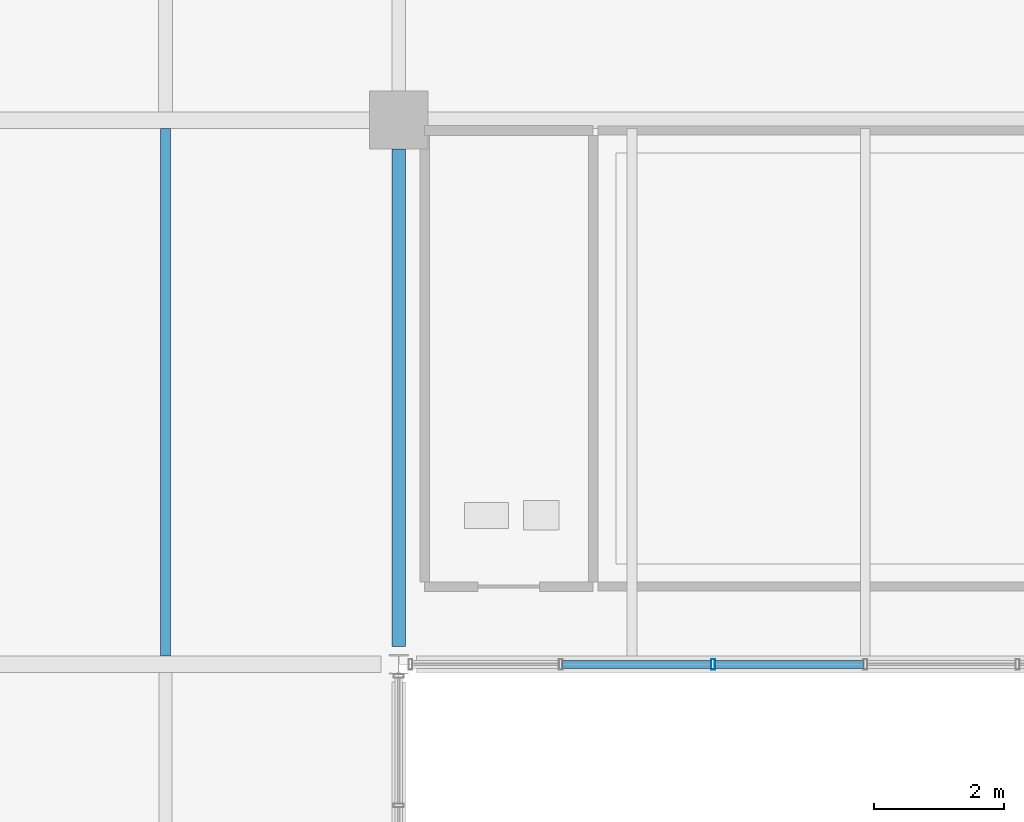
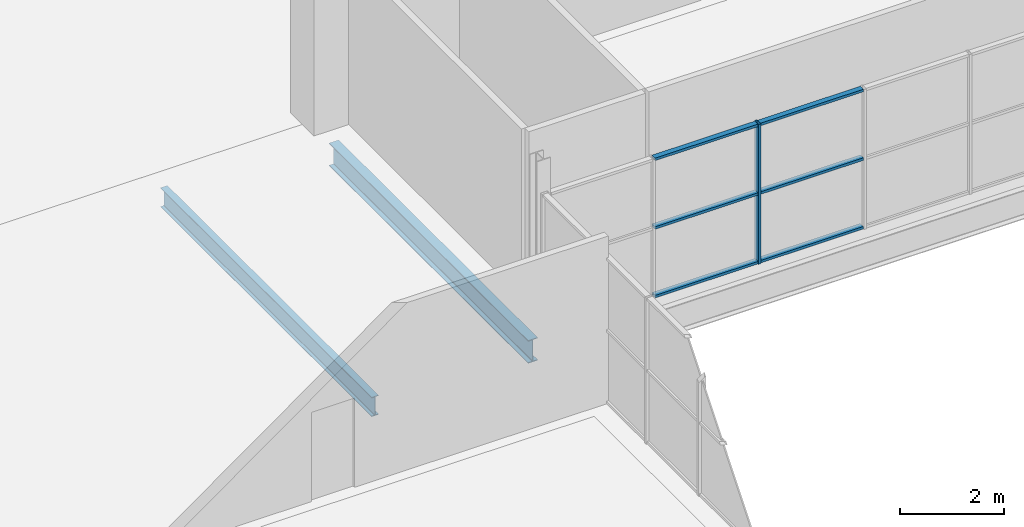
# One storey, part 32 of 161: 7 members, 2 beams, 1 element without a shape of its own.
"""IFC4 building model written with IfcOpenShell, lengths in metres."""

from ifc_helpers import new_model, si_unit, direction, frame, origin, origin_2d, place, context, subcontext, project, spatial, hollow_rectangle, i_section, extrude, material, material_profile, profile_set, type_object, element, aggregate, save


model = new_model("IFC4")

# Units and contexts
model_context = context("Model", 3, precision=1e-05, world=origin(), true_north=direction((0.0, 1.0)))
body_context = subcontext(model_context, "Body", "Model", "MODEL_VIEW")
ifc_project = project(units=[si_unit("LENGTHUNIT", "METRE"), si_unit("AREAUNIT", "SQUARE_METRE"), si_unit("VOLUMEUNIT", "CUBIC_METRE"), si_unit("PLANEANGLEUNIT", "RADIAN"), si_unit("MASSUNIT", "GRAM", prefix="KILO"), si_unit("THERMODYNAMICTEMPERATUREUNIT", "KELVIN")], contexts=[model_context])

# Site, building, storey
site_placement = place(None, origin())
site = spatial("IfcSite", under=ifc_project, at=site_placement, CompositionType="ELEMENT")
building_placement = place(site_placement, origin())
building = spatial("IfcBuilding", under=site, at=building_placement, Name="Nduvali Passage Aquatics Centre", CompositionType="ELEMENT")
storey_placement = place(building_placement, frame((0.0, 0.0, 4.800048828125)))
storey = spatial("IfcBuildingStorey", under=building, at=storey_placement, Name="L01", CompositionType="ELEMENT", Elevation=4.800048828125)

# Curtain wall, members
ifc_material_1 = material(Name="Aluminium EN AW-6063 T6", Category="aluminium")
curtain_wall_type = type_object("IfcCurtainWallType", Name="ENV-CW-COUR", PredefinedType="NOTDEFINED", material=ifc_material_1)
curtain_wall_placement = place(storey_placement, origin())
curtain_wall = element("IfcCurtainWall", 1, at=curtain_wall_placement, inside=storey, type_object=curtain_wall_type, Name="L01 Monsoon Courtyard Upper Cloister CW 164", PredefinedType="NOTDEFINED")
ifc_material_profile_1 = material_profile(ifc_material_1, hollow_rectangle(XDim=0.06005859375, YDim=0.159912109375, WallThickness=0.00390625, at=origin_2d()), Name="ALU MULLION 60x160x4")
ifc_profile_set_1 = profile_set([ifc_material_profile_1], Name="Aluminium EN AW-6063 T6")
member_type_1 = type_object("IfcMemberType", Name="ENV-MEM-MUL60", PredefinedType="MULLION", material=ifc_profile_set_1)
member_1_placement = place(storey_placement, frame((73.25, 16.800048828125, 0.0), z_axis=(0.0, 0.0, 1.0), x_axis=(1.0, 0.0, 0.0)))
member_1 = element("IfcMember", 2, at=member_1_placement, type_object=member_type_1, Name="Monsoon Courtyard Upper Cloister CW Mullion 3", PredefinedType="MULLION", context=body_context, shape_type="SweptSolid", body=[
    extrude(hollow_rectangle(XDim=0.06005859375, YDim=0.159912109375, WallThickness=0.00390625, at=origin_2d()), origin(), (0.0, 0.0, 1.0), 3.29248046875),
])
ifc_material_profile_2 = material_profile(ifc_material_1, hollow_rectangle(XDim=0.1201171875, YDim=0.06005859375, WallThickness=0.00390625, at=origin_2d()), Name="ALU TRANSOM 120x60x4")
ifc_profile_set_2 = profile_set([ifc_material_profile_2], Name="Aluminium EN AW-6063 T6")
member_type_2 = type_object("IfcMemberType", Name="ENV-MEM-TRN60", PredefinedType="USERDEFINED", material=ifc_profile_set_2)
member_2_placement = place(storey_placement, frame((70.929931640625, 16.800048828125, 0.030029296875), z_axis=(1.0, 0.0, 0.0), x_axis=(0.0, 1.0, 0.0)))
member_2 = element("IfcMember", 3, at=member_2_placement, type_object=member_type_2, Name="Monsoon Courtyard Upper Cloister CW Transom B2-R0", ObjectType="TRANSOM", PredefinedType="USERDEFINED", context=body_context, shape_type="SweptSolid", body=[
    extrude(hollow_rectangle(XDim=0.1201171875, YDim=0.06005859375, WallThickness=0.00390625, at=origin_2d()), origin(), (0.0, 0.0, 1.0), 2.2900390625),
])
member_3_placement = place(storey_placement, frame((70.929931640625, 16.800048828125, 1.646240234375), z_axis=(1.0, 0.0, 0.0), x_axis=(0.0, 1.0, 0.0)))
member_3 = element("IfcMember", 4, at=member_3_placement, type_object=member_type_2, Name="Monsoon Courtyard Upper Cloister CW Transom B2-R1", ObjectType="TRANSOM", PredefinedType="USERDEFINED", context=body_context, shape_type="SweptSolid", body=[
    extrude(hollow_rectangle(XDim=0.1201171875, YDim=0.06005859375, WallThickness=0.00390625, at=origin_2d()), origin(), (0.0, 0.0, 1.0), 2.2900390625),
])
member_4_placement = place(storey_placement, frame((70.929931640625, 16.800048828125, 3.262451171875), z_axis=(1.0, 0.0, 0.0), x_axis=(0.0, 1.0, 0.0)))
member_4 = element("IfcMember", 5, at=member_4_placement, type_object=member_type_2, Name="Monsoon Courtyard Upper Cloister CW Transom B2-R2", ObjectType="TRANSOM", PredefinedType="USERDEFINED", context=body_context, shape_type="SweptSolid", body=[
    extrude(hollow_rectangle(XDim=0.1201171875, YDim=0.06005859375, WallThickness=0.00390625, at=origin_2d()), origin(), (0.0, 0.0, 1.0), 2.2900390625),
])
member_5_placement = place(storey_placement, frame((73.280029296875, 16.800048828125, 0.030029296875), z_axis=(1.0, 0.0, 0.0), x_axis=(0.0, 1.0, 0.0)))
member_5 = element("IfcMember", 6, at=member_5_placement, type_object=member_type_2, Name="Monsoon Courtyard Upper Cloister CW Transom B3-R0", ObjectType="TRANSOM", PredefinedType="USERDEFINED", context=body_context, shape_type="SweptSolid", body=[
    extrude(hollow_rectangle(XDim=0.1201171875, YDim=0.06005859375, WallThickness=0.00390625, at=origin_2d()), origin(), (0.0, 0.0, 1.0), 2.2900390625),
])
member_6_placement = place(storey_placement, frame((73.280029296875, 16.800048828125, 1.646240234375), z_axis=(1.0, 0.0, 0.0), x_axis=(0.0, 1.0, 0.0)))
member_6 = element("IfcMember", 7, at=member_6_placement, type_object=member_type_2, Name="Monsoon Courtyard Upper Cloister CW Transom B3-R1", ObjectType="TRANSOM", PredefinedType="USERDEFINED", context=body_context, shape_type="SweptSolid", body=[
    extrude(hollow_rectangle(XDim=0.1201171875, YDim=0.06005859375, WallThickness=0.00390625, at=origin_2d()), origin(), (0.0, 0.0, 1.0), 2.2900390625),
])
member_7_placement = place(storey_placement, frame((73.280029296875, 16.800048828125, 3.262451171875), z_axis=(1.0, 0.0, 0.0), x_axis=(0.0, 1.0, 0.0)))
member_7 = element("IfcMember", 8, at=member_7_placement, type_object=member_type_2, Name="Monsoon Courtyard Upper Cloister CW Transom B3-R2", ObjectType="TRANSOM", PredefinedType="USERDEFINED", context=body_context, shape_type="SweptSolid", body=[
    extrude(hollow_rectangle(XDim=0.1201171875, YDim=0.06005859375, WallThickness=0.00390625, at=origin_2d()), origin(), (0.0, 0.0, 1.0), 2.2900390625),
])
aggregate(curtain_wall, [member_1, member_2, member_3, member_4, member_5, member_6, member_7])

# Beams
ifc_material_2 = material(Name="Steel S355", Category="steel")
ifc_material_profile_3 = material_profile(ifc_material_2, i_section(OverallWidth=0.210693359375, OverallDepth=0.53955078125, WebThickness=0.01171875, FlangeThickness=0.018798828125, FilletRadius=0.0126953125, at=origin_2d()), Name="UKB 533x210x109")
ifc_profile_set_3 = profile_set([ifc_material_profile_3], Name="Steel S355")
beam_type_1 = type_object("IfcBeamType", Name="STR-BM-UKB533", PredefinedType="BEAM", material=ifc_profile_set_3)
beam_1_placement = place(storey_placement, frame((68.39990234375, 17.074951171875, -0.553955078125), z_axis=(0.0, 1.0, 0.0), x_axis=(-1.0, 0.0, 0.0)))
element("IfcBeam", 9, at=beam_1_placement, inside=storey, type_object=beam_type_1, Name="L01 Primary Y-Girder B6-0594", PredefinedType="BEAM", context=body_context, shape_type="SweptSolid", body=[
    extrude(i_section(OverallWidth=0.210693359375, OverallDepth=0.53955078125, WebThickness=0.01171875, FlangeThickness=0.018798828125, FilletRadius=0.0126953125, at=origin_2d()), origin(), (0.0, 0.0, 1.0), 7.675048828125),
])
ifc_material_profile_4 = material_profile(ifc_material_2, i_section(OverallWidth=0.15283203125, OverallDepth=0.45458984375, WebThickness=0.008056640625, FlangeThickness=0.01318359375, FilletRadius=0.01025390625, at=origin_2d()), Name="UKB 457x152x60")
ifc_profile_set_4 = profile_set([ifc_material_profile_4], Name="Steel S355")
beam_type_2 = type_object("IfcBeamType", Name="STR-JST-UKB457L", PredefinedType="JOIST", material=ifc_profile_set_4)
beam_2_placement = place(storey_placement, frame((64.800048828125, 16.9267578125, -0.51123046875), z_axis=(0.0, 1.0, 0.0), x_axis=(-1.0, 0.0, 0.0)))
element("IfcBeam", 10, at=beam_2_placement, inside=storey, type_object=beam_type_2, Name="L01 Secondary Joist J1A-0715", PredefinedType="JOIST", context=body_context, shape_type="SweptSolid", body=[
    extrude(i_section(OverallWidth=0.15283203125, OverallDepth=0.45458984375, WebThickness=0.008056640625, FlangeThickness=0.01318359375, FilletRadius=0.01025390625, at=origin_2d()), origin(), (0.0, 0.0, 1.0), 8.146484375),
])

save(model, "model.ifc")
